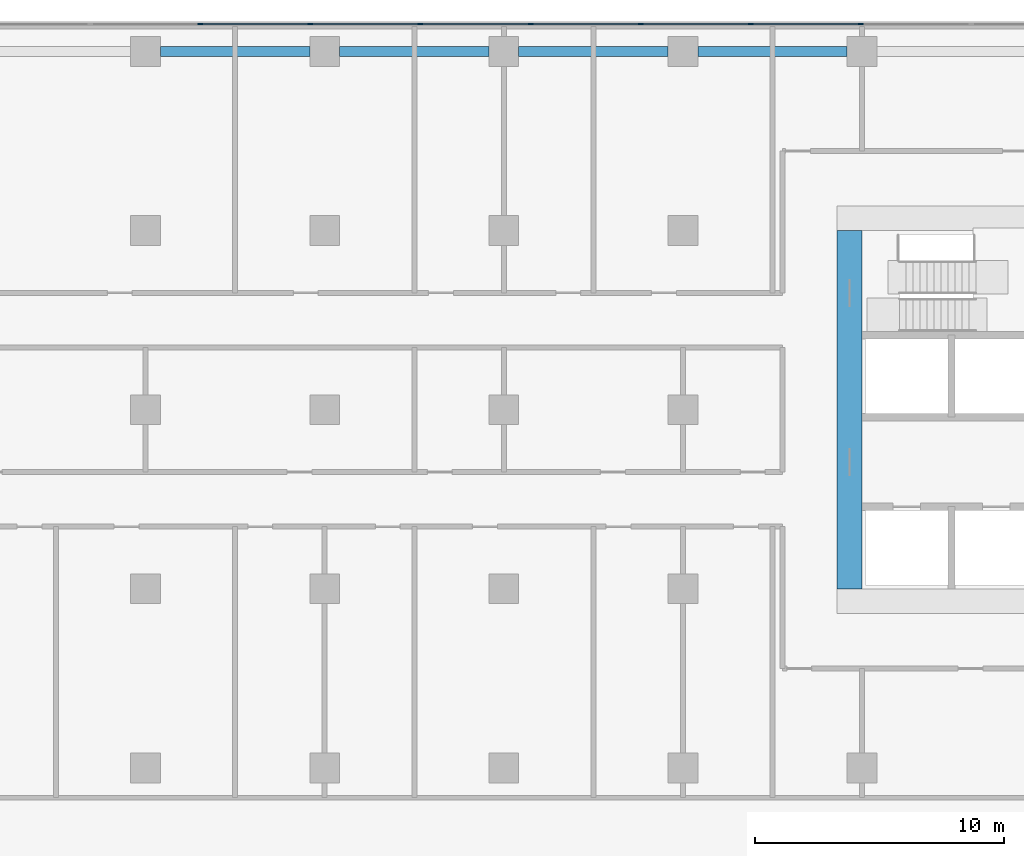
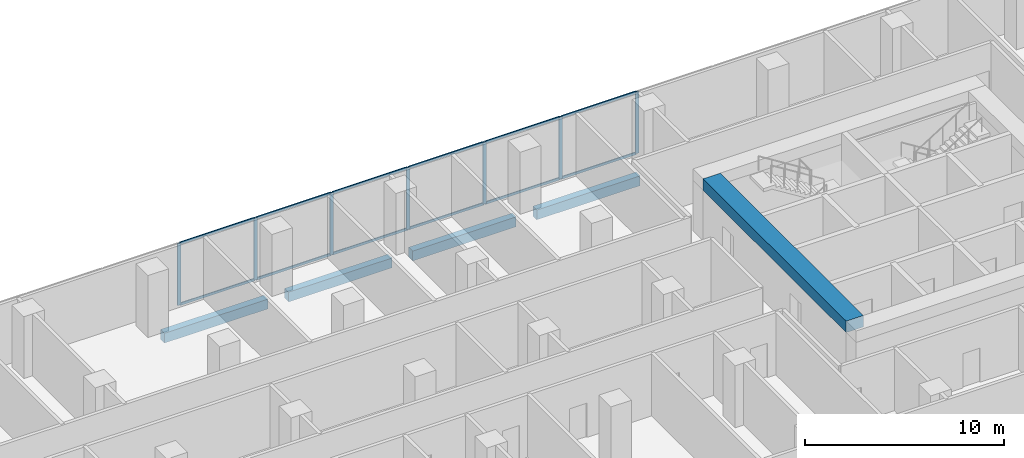
# One storey, part 7 of 27: 19 members, 5 beams, 1 element without a shape of its own.
"""IFC4 building model written with IfcOpenShell, lengths in metres."""

from ifc_helpers import new_model, si_unit, direction, frame, origin, origin_2d, place, context, subcontext, project, spatial, rectangle, extrude, material, material_profile, profile_set, type_object, element, aggregate, save


model = new_model("IFC4")

# Units and contexts
model_context = context("Model", 3, precision=1e-05, world=origin(), true_north=direction((0.0, 1.0)))
body_context = subcontext(model_context, "Body", "Model", "MODEL_VIEW")
ifc_project = project(units=[si_unit("LENGTHUNIT", "METRE"), si_unit("AREAUNIT", "SQUARE_METRE"), si_unit("VOLUMEUNIT", "CUBIC_METRE"), si_unit("PLANEANGLEUNIT", "RADIAN"), si_unit("MASSUNIT", "GRAM", prefix="KILO")], contexts=[model_context])

# Site, building, storey
site_placement = place(None, origin())
site = spatial("IfcSite", under=ifc_project, at=site_placement, CompositionType="ELEMENT")
building_placement = place(site_placement, origin())
building = spatial("IfcBuilding", under=site, at=building_placement, Name="Windrow Commons", CompositionType="ELEMENT")
storey_placement = place(building_placement, frame((0.0, 0.0, 6.0)))
storey = spatial("IfcBuildingStorey", under=building, at=storey_placement, Name="L01", CompositionType="ELEMENT", Elevation=6.0)

# Curtain wall, members
ifc_material_1 = material(Name="Clear laminated glass in Aluminium 6063-T6 anodised frame", Category="aluminium")
curtain_wall_type = type_object("IfcCurtainWallType", Name="Curtain wall CW1 podium study hall", PredefinedType="USERDEFINED", material=ifc_material_1)
curtain_wall_placement = place(storey_placement, origin())
curtain_wall = element("IfcCurtainWall", 1, at=curtain_wall_placement, inside=storey, type_object=curtain_wall_type, Name="Curtain wall CW1 L01 5", ObjectType="STICK", PredefinedType="USERDEFINED")
ifc_material_2 = material(Name="Aluminium 6063-T6", Category="aluminium")
ifc_material_profile_1 = material_profile(ifc_material_2, rectangle(XDim=0.06, YDim=0.2, at=origin_2d()))
ifc_profile_set_1 = profile_set([ifc_material_profile_1], Name="Aluminium 6063-T6")
member_type_1 = type_object("IfcMemberType", Name="CW1 mullion 60x200", PredefinedType="MULLION", material=ifc_profile_set_1)
member_1_placement = place(storey_placement, frame((57.559, 73.1, 0.0), z_axis=(0.0, 0.0, 1.0), x_axis=(0.0, -1.0, 0.0)))
member_1 = element("IfcMember", 2, at=member_1_placement, type_object=member_type_1, Name="CW1 mullion 6", PredefinedType="MULLION", context=body_context, shape_type="SweptSolid", body=[
    extrude(rectangle(XDim=0.06, YDim=0.2, at=origin_2d()), origin(), (0.0, 0.0, 1.0), 3.8),
])
member_2_placement = place(storey_placement, frame((53.1314, 73.1, 0.0), z_axis=(0.0, 0.0, 1.0), x_axis=(0.0, -1.0, 0.0)))
member_2 = element("IfcMember", 3, at=member_2_placement, type_object=member_type_1, Name="CW1 mullion 7", PredefinedType="MULLION", context=body_context, shape_type="SweptSolid", body=[
    extrude(rectangle(XDim=0.06, YDim=0.2, at=origin_2d()), origin(), (0.0, 0.0, 1.0), 3.8),
])
member_3_placement = place(storey_placement, frame((48.7038, 73.1, 0.0), z_axis=(0.0, 0.0, 1.0), x_axis=(0.0, -1.0, 0.0)))
member_3 = element("IfcMember", 4, at=member_3_placement, type_object=member_type_1, Name="CW1 mullion 8", PredefinedType="MULLION", context=body_context, shape_type="SweptSolid", body=[
    extrude(rectangle(XDim=0.06, YDim=0.2, at=origin_2d()), origin(), (0.0, 0.0, 1.0), 3.8),
])
member_4_placement = place(storey_placement, frame((44.2762, 73.1, 0.0), z_axis=(0.0, 0.0, 1.0), x_axis=(0.0, -1.0, 0.0)))
member_4 = element("IfcMember", 5, at=member_4_placement, type_object=member_type_1, Name="CW1 mullion 9", PredefinedType="MULLION", context=body_context, shape_type="SweptSolid", body=[
    extrude(rectangle(XDim=0.06, YDim=0.2, at=origin_2d()), origin(), (0.0, 0.0, 1.0), 3.8),
])
member_5_placement = place(storey_placement, frame((39.8486, 73.1, 0.0), z_axis=(0.0, 0.0, 1.0), x_axis=(0.0, -1.0, 0.0)))
member_5 = element("IfcMember", 6, at=member_5_placement, type_object=member_type_1, Name="CW1 mullion 10", PredefinedType="MULLION", context=body_context, shape_type="SweptSolid", body=[
    extrude(rectangle(XDim=0.06, YDim=0.2, at=origin_2d()), origin(), (0.0, 0.0, 1.0), 3.8),
])
member_6_placement = place(storey_placement, frame((35.4209, 73.1, 0.0), z_axis=(0.0, 0.0, 1.0), x_axis=(0.0, -1.0, 0.0)))
member_6 = element("IfcMember", 7, at=member_6_placement, type_object=member_type_1, Name="CW1 mullion 11", PredefinedType="MULLION", context=body_context, shape_type="SweptSolid", body=[
    extrude(rectangle(XDim=0.06, YDim=0.2, at=origin_2d()), origin(), (0.0, 0.0, 1.0), 3.8),
])
member_7_placement = place(storey_placement, frame((30.9933, 73.1, 0.0), z_axis=(0.0, 0.0, 1.0), x_axis=(0.0, -1.0, 0.0)))
member_7 = element("IfcMember", 8, at=member_7_placement, type_object=member_type_1, Name="CW1 mullion 12", PredefinedType="MULLION", context=body_context, shape_type="SweptSolid", body=[
    extrude(rectangle(XDim=0.06, YDim=0.2, at=origin_2d()), origin(), (0.0, 0.0, 1.0), 3.8),
])
ifc_material_3 = material(Name="Aluminium 6063-T6", Category="aluminium")
ifc_material_profile_2 = material_profile(ifc_material_3, rectangle(XDim=0.06, YDim=0.15, at=origin_2d()))
ifc_profile_set_2 = profile_set([ifc_material_profile_2], Name="Aluminium 6063-T6")
member_type_2 = type_object("IfcMemberType", Name="CW1 transom 60x150", PredefinedType="USERDEFINED", material=ifc_profile_set_2)
member_8_placement = place(storey_placement, frame((57.529, 73.1, 0.03), z_axis=(-1.0, 0.0, 0.0), x_axis=(0.0, -1.0, 0.0)))
member_8 = element("IfcMember", 9, at=member_8_placement, type_object=member_type_2, Name="CW1 transom 6.1", ObjectType="TRANSOM", PredefinedType="USERDEFINED", context=body_context, shape_type="SweptSolid", body=[
    extrude(rectangle(XDim=0.06, YDim=0.15, at=origin_2d()), origin(), (0.0, 0.0, 1.0), 4.3676),
])
member_9_placement = place(storey_placement, frame((57.529, 73.1, 3.77), z_axis=(-1.0, 0.0, 0.0), x_axis=(0.0, -1.0, 0.0)))
member_9 = element("IfcMember", 10, at=member_9_placement, type_object=member_type_2, Name="CW1 transom 6.2", ObjectType="TRANSOM", PredefinedType="USERDEFINED", context=body_context, shape_type="SweptSolid", body=[
    extrude(rectangle(XDim=0.06, YDim=0.15, at=origin_2d()), origin(), (0.0, 0.0, 1.0), 4.3676),
])
member_10_placement = place(storey_placement, frame((53.1014, 73.1, 0.03), z_axis=(-1.0, 0.0, 0.0), x_axis=(0.0, -1.0, 0.0)))
member_10 = element("IfcMember", 11, at=member_10_placement, type_object=member_type_2, Name="CW1 transom 7.1", ObjectType="TRANSOM", PredefinedType="USERDEFINED", context=body_context, shape_type="SweptSolid", body=[
    extrude(rectangle(XDim=0.06, YDim=0.15, at=origin_2d()), origin(), (0.0, 0.0, 1.0), 4.3676),
])
member_11_placement = place(storey_placement, frame((53.1014, 73.1, 3.77), z_axis=(-1.0, 0.0, 0.0), x_axis=(0.0, -1.0, 0.0)))
member_11 = element("IfcMember", 12, at=member_11_placement, type_object=member_type_2, Name="CW1 transom 7.2", ObjectType="TRANSOM", PredefinedType="USERDEFINED", context=body_context, shape_type="SweptSolid", body=[
    extrude(rectangle(XDim=0.06, YDim=0.15, at=origin_2d()), origin(), (0.0, 0.0, 1.0), 4.3676),
])
member_12_placement = place(storey_placement, frame((48.6738, 73.1, 0.03), z_axis=(-1.0, 0.0, 0.0), x_axis=(0.0, -1.0, 0.0)))
member_12 = element("IfcMember", 13, at=member_12_placement, type_object=member_type_2, Name="CW1 transom 8.1", ObjectType="TRANSOM", PredefinedType="USERDEFINED", context=body_context, shape_type="SweptSolid", body=[
    extrude(rectangle(XDim=0.06, YDim=0.15, at=origin_2d()), origin(), (0.0, 0.0, 1.0), 4.3676),
])
member_13_placement = place(storey_placement, frame((48.6738, 73.1, 3.77), z_axis=(-1.0, 0.0, 0.0), x_axis=(0.0, -1.0, 0.0)))
member_13 = element("IfcMember", 14, at=member_13_placement, type_object=member_type_2, Name="CW1 transom 8.2", ObjectType="TRANSOM", PredefinedType="USERDEFINED", context=body_context, shape_type="SweptSolid", body=[
    extrude(rectangle(XDim=0.06, YDim=0.15, at=origin_2d()), origin(), (0.0, 0.0, 1.0), 4.3676),
])
member_14_placement = place(storey_placement, frame((44.2462, 73.1, 0.03), z_axis=(-1.0, 0.0, 0.0), x_axis=(0.0, -1.0, 0.0)))
member_14 = element("IfcMember", 15, at=member_14_placement, type_object=member_type_2, Name="CW1 transom 9.1", ObjectType="TRANSOM", PredefinedType="USERDEFINED", context=body_context, shape_type="SweptSolid", body=[
    extrude(rectangle(XDim=0.06, YDim=0.15, at=origin_2d()), origin(), (0.0, 0.0, 1.0), 4.3677),
])
member_15_placement = place(storey_placement, frame((44.2462, 73.1, 3.77), z_axis=(-1.0, 0.0, 0.0), x_axis=(0.0, -1.0, 0.0)))
member_15 = element("IfcMember", 16, at=member_15_placement, type_object=member_type_2, Name="CW1 transom 9.2", ObjectType="TRANSOM", PredefinedType="USERDEFINED", context=body_context, shape_type="SweptSolid", body=[
    extrude(rectangle(XDim=0.06, YDim=0.15, at=origin_2d()), origin(), (0.0, 0.0, 1.0), 4.3677),
])
member_16_placement = place(storey_placement, frame((39.8186, 73.1, 0.03), z_axis=(-1.0, 0.0, 0.0), x_axis=(0.0, -1.0, 0.0)))
member_16 = element("IfcMember", 17, at=member_16_placement, type_object=member_type_2, Name="CW1 transom 10.1", ObjectType="TRANSOM", PredefinedType="USERDEFINED", context=body_context, shape_type="SweptSolid", body=[
    extrude(rectangle(XDim=0.06, YDim=0.15, at=origin_2d()), origin(), (0.0, 0.0, 1.0), 4.3677),
])
member_17_placement = place(storey_placement, frame((39.8186, 73.1, 3.77), z_axis=(-1.0, 0.0, 0.0), x_axis=(0.0, -1.0, 0.0)))
member_17 = element("IfcMember", 18, at=member_17_placement, type_object=member_type_2, Name="CW1 transom 10.2", ObjectType="TRANSOM", PredefinedType="USERDEFINED", context=body_context, shape_type="SweptSolid", body=[
    extrude(rectangle(XDim=0.06, YDim=0.15, at=origin_2d()), origin(), (0.0, 0.0, 1.0), 4.3677),
])
member_18_placement = place(storey_placement, frame((35.3909, 73.1, 0.03), z_axis=(-1.0, 0.0, 0.0), x_axis=(0.0, -1.0, 0.0)))
member_18 = element("IfcMember", 19, at=member_18_placement, type_object=member_type_2, Name="CW1 transom 11.1", ObjectType="TRANSOM", PredefinedType="USERDEFINED", context=body_context, shape_type="SweptSolid", body=[
    extrude(rectangle(XDim=0.06, YDim=0.15, at=origin_2d()), origin(), (0.0, 0.0, 1.0), 4.3676),
])
member_19_placement = place(storey_placement, frame((35.3909, 73.1, 3.77), z_axis=(-1.0, 0.0, 0.0), x_axis=(0.0, -1.0, 0.0)))
member_19 = element("IfcMember", 20, at=member_19_placement, type_object=member_type_2, Name="CW1 transom 11.2", ObjectType="TRANSOM", PredefinedType="USERDEFINED", context=body_context, shape_type="SweptSolid", body=[
    extrude(rectangle(XDim=0.06, YDim=0.15, at=origin_2d()), origin(), (0.0, 0.0, 1.0), 4.3676),
])
aggregate(curtain_wall, [member_1, member_2, member_3, member_4, member_5, member_6, member_7, member_8, member_9, member_10, member_11, member_12, member_13, member_14, member_15, member_16, member_17, member_18, member_19])

# Beams
ifc_material_4 = material(Name="Concrete C60/75", Category="concrete")
ifc_material_profile_3 = material_profile(ifc_material_4, rectangle(XDim=1.0, YDim=0.7, at=origin_2d()))
ifc_profile_set_3 = profile_set([ifc_material_profile_3], Name="Concrete C60/75")
beam_type_1 = type_object("IfcBeamType", Name="RC COUPLING BEAM 1000x700 C60/75", PredefinedType="LINTEL", material=ifc_profile_set_3)
beam_placement = place(storey_placement, frame((57.1, 50.4, 3.45), z_axis=(0.0, 1.0, 0.0), x_axis=(-1.0, 0.0, 0.0)))
element("IfcBeam", 21, at=beam_placement, inside=storey, type_object=beam_type_1, Name="Core A coupling beam outer-W", PredefinedType="LINTEL", context=body_context, shape_type="SweptSolid", body=[
    extrude(rectangle(XDim=1.0, YDim=0.7, at=origin_2d()), origin(), (0.0, 0.0, 1.0), 14.4),
])
ifc_material_5 = material(Name="Concrete C60/75", Category="concrete")
ifc_material_profile_4 = material_profile(ifc_material_5, rectangle(XDim=0.4, YDim=0.6, at=origin_2d()))
ifc_profile_set_4 = profile_set([ifc_material_profile_4], Name="Concrete C60/75")
beam_type_2 = type_object("IfcBeamType", Name="RC EDGE BEAM 400x600 C60/75", PredefinedType="SPANDREL", material=ifc_profile_set_4)
for number, where, z_axis, x_axis, name in (
    (22, (29.4, 72.0, -0.7), (1.0, 0.0, 0.0), (0.0, 1.0, 0.0), "Edge beam L01 010"),
    (23, (36.6, 72.0, -0.7), (1.0, 0.0, 0.0), (0.0, 1.0, 0.0), "Edge beam L01 011"),
    (24, (43.8, 72.0, -0.7), (1.0, 0.0, 0.0), (0.0, 1.0, 0.0), "Edge beam L01 012"),
    (25, (51.0, 72.0, -0.7), (1.0, 0.0, 0.0), (0.0, 1.0, 0.0), "Edge beam L01 013"),
):
    element("IfcBeam", number, at=place(storey_placement, frame(where, z_axis=z_axis, x_axis=x_axis)), inside=storey, type_object=beam_type_2, Name=name, PredefinedType="SPANDREL", context=body_context, shape_type="SweptSolid", body=[
        extrude(rectangle(XDim=0.4, YDim=0.6, at=origin_2d()), origin(), (0.0, 0.0, 1.0), 6.0),
    ])

save(model, "model.ifc")
